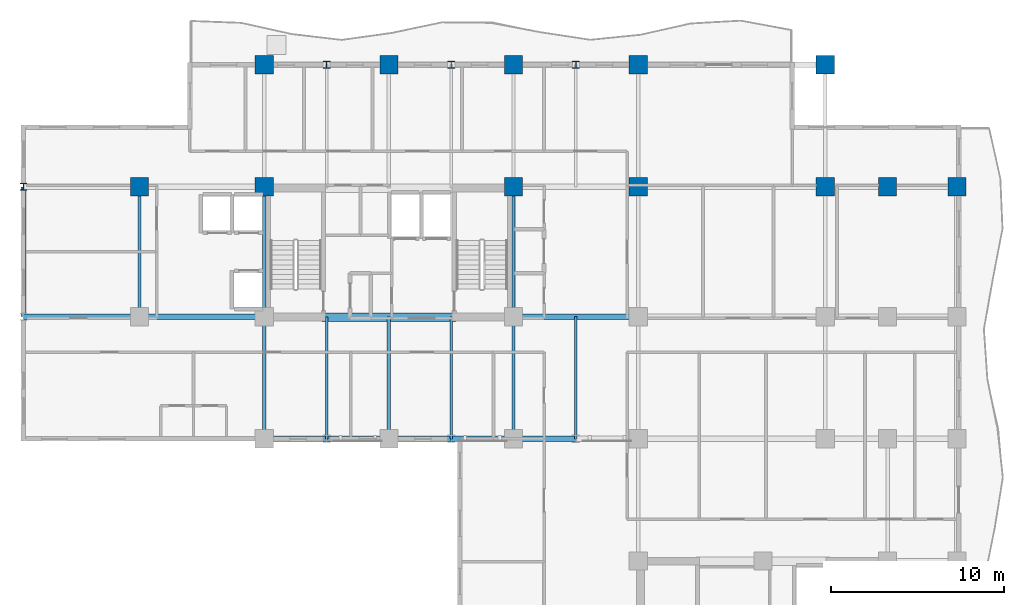
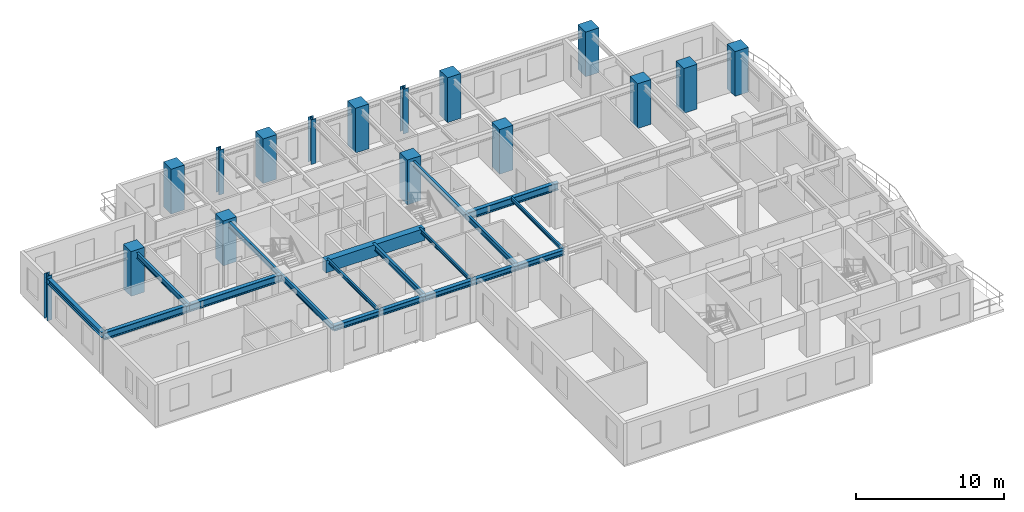
# One storey, part 2 of 13: 19 beams, 16 columns.
"""IFC4 building model written with IfcOpenShell, lengths in metres."""

from ifc_helpers import new_model, si_unit, direction, frame, origin, origin_2d, place, context, subcontext, project, spatial, rectangle, i_section, extrude, source, transform, mapped, material, material_profile, profile_set, type_object, element, save


model = new_model("IFC4")

# Units and contexts
model_context = context("Model", 3, precision=1e-05, world=origin(), true_north=direction((0.0, 1.0)))
body_context = subcontext(model_context, "Body", "Model", "MODEL_VIEW")
ifc_project = project(units=[si_unit("LENGTHUNIT", "METRE"), si_unit("AREAUNIT", "SQUARE_METRE"), si_unit("VOLUMEUNIT", "CUBIC_METRE"), si_unit("PLANEANGLEUNIT", "RADIAN"), si_unit("MASSUNIT", "GRAM", prefix="KILO")], contexts=[model_context])

# Site, building, storey
site_placement = place(None, origin())
site = spatial("IfcSite", under=ifc_project, at=site_placement, CompositionType="ELEMENT")
building_placement = place(site_placement, origin())
building = spatial("IfcBuilding", under=site, at=building_placement, Name="Kaliganga Portal Commons", CompositionType="ELEMENT")
storey_placement = place(building_placement, frame((0.0, 0.0, 173.5)))
storey = spatial("IfcBuildingStorey", under=building, at=storey_placement, Name="L44", CompositionType="ELEMENT", Elevation=173.5)

# Columns
ifc_material_1 = material(Name="Concrete C60/75", Category="concrete")
ifc_material_profile_1 = material_profile(ifc_material_1, rectangle(XDim=1.050048828125, YDim=1.050048828125, at=origin_2d()), Name="RC 1050x1050")
ifc_profile_set_1 = profile_set([ifc_material_profile_1], Name="Concrete C60/75")
column_type_1 = type_object("IfcColumnType", Name="COL-MEGA-Z3", PredefinedType="COLUMN", material=ifc_profile_set_1)
shared_shape_1 = source(origin(), body_context, "Body", "SweptSolid", [
    extrude(rectangle(XDim=1.050048828125, YDim=1.050048828125, at=origin_2d()), origin(), (0.0, 0.0, 1.0), 3.699951171875),
])
for number, where, z_axis, x_axis, name in (
    (1, (7.199951171875, 36.14990234375, 0.0), (0.0, 0.0, 1.0), (1.0, 0.0, 0.0), "Column MC-04 L44"),
    (2, (14.39990234375, 36.14990234375, 0.0), (0.0, 0.0, 1.0), (1.0, 0.0, 0.0), "Column MC-04 L44"),
    (3, (14.39990234375, 43.199951171875, 0.0), (0.0, 0.0, 1.0), (1.0, 0.0, 0.0), "Column MC-04 L44"),
    (4, (21.60009765625, 43.199951171875, 0.0), (0.0, 0.0, 1.0), (1.0, 0.0, 0.0), "Column MC-04 L44"),
    (5, (28.800048828125, 36.14990234375, 0.0), (0.0, 0.0, 1.0), (1.0, 0.0, 0.0), "Column MC-04 L44"),
    (6, (28.800048828125, 43.199951171875, 0.0), (0.0, 0.0, 1.0), (1.0, 0.0, 0.0), "Column MC-04 L44"),
    (7, (36.0, 43.199951171875, 0.0), (0.0, 0.0, 1.0), (1.0, 0.0, 0.0), "Column MC-04 L44"),
    (8, (36.0, 36.14990234375, 0.0), (0.0, 0.0, 1.0), (1.0, 0.0, 0.0), "Column MC-04 L44"),
    (9, (46.800048828125, 36.14990234375, 0.0), (0.0, 0.0, 1.0), (1.0, 0.0, 0.0), "Column MC-04 L44"),
    (10, (46.800048828125, 43.199951171875, 0.0), (0.0, 0.0, 1.0), (1.0, 0.0, 0.0), "Column MC-04 L44"),
    (11, (50.39990234375, 36.14990234375, 0.0), (0.0, 0.0, 1.0), (1.0, 0.0, 0.0), "Column MC-04 L44"),
    (12, (54.39990234375, 36.14990234375, 0.0), (0.0, 0.0, 1.0), (1.0, 0.0, 0.0), "Column MC-04 L44"),
):
    element("IfcColumn", number, at=place(storey_placement, frame(where, z_axis=z_axis, x_axis=x_axis)), inside=storey, type_object=column_type_1, Name=name, PredefinedType="COLUMN", context=body_context, shape_type="MappedRepresentation", body=[
        mapped(shared_shape_1, transform((0.0, 0.0, 0.0), x_axis=(1.0, 0.0, 0.0), y_axis=(0.0, 1.0, 0.0), z_axis=(0.0, 0.0, 1.0), scale=1.0)),
    ])
ifc_material_2 = material(Name="Structural steel S460M", Category="steel")
ifc_material_profile_2 = material_profile(ifc_material_2, i_section(OverallWidth=0.404052734375, OverallDepth=0.4140625, WebThickness=0.0205078125, FlangeThickness=0.028076171875, FilletRadius=0.014892578125, at=origin_2d()), Name="HD 400x347")
ifc_profile_set_2 = profile_set([ifc_material_profile_2], Name="Structural steel S460M wide-flange")
column_type_2 = type_object("IfcColumnType", Name="COL-TUBE-B3", PredefinedType="COLUMN", material=ifc_profile_set_2)
shared_shape_2 = source(origin(), body_context, "Body", "SweptSolid", [
    extrude(i_section(OverallWidth=0.404052734375, OverallDepth=0.4140625, WebThickness=0.0205078125, FlangeThickness=0.028076171875, FilletRadius=0.014892578125, at=origin_2d()), origin(), (0.0, 0.0, 1.0), 3.699951171875),
])
for number, where, z_axis, x_axis, name in (
    (13, (0.5, 36.14990234375, 0.0), (0.0, 0.0, 1.0), (1.0, 0.0, 0.0), "Column TC-03 L44"),
    (14, (18.0, 43.199951171875, 0.0), (0.0, 0.0, 1.0), (1.0, 0.0, 0.0), "Column TC-03 L44"),
    (15, (25.199951171875, 43.199951171875, 0.0), (0.0, 0.0, 1.0), (1.0, 0.0, 0.0), "Column TC-03 L44"),
    (16, (32.39990234375, 43.199951171875, 0.0), (0.0, 0.0, 1.0), (1.0, 0.0, 0.0), "Column TC-03 L44"),
):
    element("IfcColumn", number, at=place(storey_placement, frame(where, z_axis=z_axis, x_axis=x_axis)), inside=storey, type_object=column_type_2, Name=name, PredefinedType="COLUMN", context=body_context, shape_type="MappedRepresentation", body=[
        mapped(shared_shape_2, transform((0.0, 0.0, 0.0), x_axis=(1.0, 0.0, 0.0), y_axis=(0.0, 1.0, 0.0), z_axis=(0.0, 0.0, 1.0), scale=1.0)),
    ])

# Beams
ifc_material_3 = material(Name="Concrete C50/60", Category="concrete")
ifc_material_profile_3 = material_profile(ifc_material_3, rectangle(XDim=0.5, YDim=1.0, at=origin_2d()), Name="RC 500x1000")
ifc_profile_set_3 = profile_set([ifc_material_profile_3], Name="Concrete C50/60")
beam_type_1 = type_object("IfcBeamType", Name="BM-CPL-1000", PredefinedType="LINTEL", material=ifc_profile_set_3)
shared_shape_3 = source(origin(), body_context, "Body", "SweptSolid", [
    extrude(rectangle(XDim=0.5, YDim=1.0, at=origin_2d()), origin(), (0.0, 0.0, 1.0), 7.739990234375),
])
beam_1_placement = place(storey_placement, frame((17.72998046875, 28.625, 2.9599609375), z_axis=(1.0, 0.0, 0.0), x_axis=(0.0, 1.0, 0.0)))
element("IfcBeam", 17, at=beam_1_placement, inside=storey, type_object=beam_type_1, Name="BM CPL COREA L44 S", PredefinedType="LINTEL", context=body_context, shape_type="MappedRepresentation", body=[
    mapped(shared_shape_3, transform((0.0, 0.0, 0.0), x_axis=(1.0, 0.0, 0.0), y_axis=(0.0, 1.0, 0.0), z_axis=(0.0, 0.0, 1.0), scale=1.0)),
])
ifc_material_4 = material(Name="Structural steel S355J2", Category="steel")
ifc_material_profile_4 = material_profile(ifc_material_4, i_section(OverallWidth=0.300048828125, OverallDepth=0.449951171875, WebThickness=0.013916015625, FlangeThickness=0.02587890625, FilletRadius=0.027099609375, at=origin_2d()), Name="HE 450 B")
ifc_profile_set_4 = profile_set([ifc_material_profile_4], Name="Structural steel S355J2 wide-flange")
beam_type_2 = type_object("IfcBeamType", Name="BM-SPAND-450", PredefinedType="SPANDREL", material=ifc_profile_set_4)
shared_shape_4 = source(origin(), body_context, "Body", "SweptSolid", [
    extrude(i_section(OverallWidth=0.300048828125, OverallDepth=0.449951171875, WebThickness=0.013916015625, FlangeThickness=0.02587890625, FilletRadius=0.027099609375, at=origin_2d()), origin(), (0.0, 0.0, 1.0), 3.60009765625),
])
for number, where, z_axis, x_axis, name in (
    (18, (14.39990234375, 21.60009765625, 3.235107421875), (1.0, 0.0, 0.0), (0.0, 1.0, 0.0), "BM SP L44 AS 1"),
    (19, (18.0, 21.60009765625, 3.235107421875), (1.0, 0.0, 0.0), (0.0, 1.0, 0.0), "BM SP L44 AS 2"),
    (20, (25.199951171875, 21.60009765625, 3.235107421875), (1.0, 0.0, 0.0), (0.0, 1.0, 0.0), "BM SP L44 AS 4"),
):
    element("IfcBeam", number, at=place(storey_placement, frame(where, z_axis=z_axis, x_axis=x_axis)), inside=storey, type_object=beam_type_2, Name=name, PredefinedType="SPANDREL", context=body_context, shape_type="MappedRepresentation", body=[
        mapped(shared_shape_4, transform((0.0, 0.0, 0.0), x_axis=(1.0, 0.0, 0.0), y_axis=(0.0, 1.0, 0.0), z_axis=(0.0, 0.0, 1.0), scale=1.0)),
    ])
shared_shape_5 = source(origin(), body_context, "Body", "SweptSolid", [
    extrude(i_section(OverallWidth=0.300048828125, OverallDepth=0.449951171875, WebThickness=0.013916015625, FlangeThickness=0.02587890625, FilletRadius=0.027099609375, at=origin_2d()), origin(), (0.0, 0.0, 1.0), 3.599853515625),
])
for number, where, z_axis, x_axis, name in (
    (21, (21.60009765625, 21.60009765625, 3.235107421875), (1.0, 0.0, 0.0), (0.0, 1.0, 0.0), "BM SP L44 AS 3"),
    (22, (28.800048828125, 21.60009765625, 3.235107421875), (1.0, 0.0, 0.0), (0.0, 1.0, 0.0), "BM SP L44 AS 5"),
):
    element("IfcBeam", number, at=place(storey_placement, frame(where, z_axis=z_axis, x_axis=x_axis)), inside=storey, type_object=beam_type_2, Name=name, PredefinedType="SPANDREL", context=body_context, shape_type="MappedRepresentation", body=[
        mapped(shared_shape_5, transform((0.0, 0.0, 0.0), x_axis=(1.0, 0.0, 0.0), y_axis=(0.0, 1.0, 0.0), z_axis=(0.0, 0.0, 1.0), scale=1.0)),
    ])
shared_shape_6 = source(origin(), body_context, "Body", "SweptSolid", [
    extrude(i_section(OverallWidth=0.300048828125, OverallDepth=0.449951171875, WebThickness=0.013916015625, FlangeThickness=0.02587890625, FilletRadius=0.027099609375, at=origin_2d()), origin(), (0.0, 0.0, 1.0), 7.5),
])
beam_2_placement = place(storey_placement, frame((0.5, 28.64990234375, 3.235107421875), z_axis=(0.0, 1.0, 0.0), x_axis=(-1.0, 0.0, 0.0)))
element("IfcBeam", 23, at=beam_2_placement, inside=storey, type_object=beam_type_2, Name="BM SP L44 AW", PredefinedType="SPANDREL", context=body_context, shape_type="MappedRepresentation", body=[
    mapped(shared_shape_6, transform((0.0, 0.0, 0.0), x_axis=(1.0, 0.0, 0.0), y_axis=(0.0, 1.0, 0.0), z_axis=(0.0, 0.0, 1.0), scale=1.0)),
])
ifc_material_profile_5 = material_profile(ifc_material_4, i_section(OverallWidth=0.300048828125, OverallDepth=0.60009765625, WebThickness=0.015380859375, FlangeThickness=0.030029296875, FilletRadius=0.027099609375, at=origin_2d()), Name="HE 600 B")
ifc_profile_set_5 = profile_set([ifc_material_profile_5], Name="Structural steel S355J2 wide-flange")
beam_type_3 = type_object("IfcBeamType", Name="BM-GIRD-600", PredefinedType="USERDEFINED", material=ifc_profile_set_5)
shared_shape_7 = source(origin(), body_context, "Body", "SweptSolid", [
    extrude(i_section(OverallWidth=0.300048828125, OverallDepth=0.60009765625, WebThickness=0.015380859375, FlangeThickness=0.030029296875, FilletRadius=0.027099609375, at=origin_2d()), origin(), (0.0, 0.0, 1.0), 6.699951171875),
])
beam_3_placement = place(storey_placement, frame((0.5, 28.64990234375, 3.159912109375), z_axis=(1.0, 0.0, 0.0), x_axis=(0.0, 1.0, 0.0)))
element("IfcBeam", 24, at=beam_3_placement, inside=storey, type_object=beam_type_3, Name="BM G L44 WAH_S 1", ObjectType="GIRDER", PredefinedType="USERDEFINED", context=body_context, shape_type="MappedRepresentation", body=[
    mapped(shared_shape_7, transform((0.0, 0.0, 0.0), x_axis=(1.0, 0.0, 0.0), y_axis=(0.0, 1.0, 0.0), z_axis=(0.0, 0.0, 1.0), scale=1.0)),
])
shared_shape_8 = source(origin(), body_context, "Body", "SweptSolid", [
    extrude(i_section(OverallWidth=0.300048828125, OverallDepth=0.60009765625, WebThickness=0.015380859375, FlangeThickness=0.030029296875, FilletRadius=0.027099609375, at=origin_2d()), origin(), (0.0, 0.0, 1.0), 7.199951171875),
])
for number, where, z_axis, x_axis, name in (
    (25, (7.199951171875, 28.64990234375, 3.159912109375), (1.0, 0.0, 0.0), (0.0, 1.0, 0.0), "BM G L44 WAH_S 2"),
    (26, (28.800048828125, 28.64990234375, 3.159912109375), (1.0, 0.0, 0.0), (0.0, 1.0, 0.0), "BM G L44 WAE_S 1"),
):
    element("IfcBeam", number, at=place(storey_placement, frame(where, z_axis=z_axis, x_axis=x_axis)), inside=storey, type_object=beam_type_3, Name=name, ObjectType="GIRDER", PredefinedType="USERDEFINED", context=body_context, shape_type="MappedRepresentation", body=[
        mapped(shared_shape_8, transform((0.0, 0.0, 0.0), x_axis=(1.0, 0.0, 0.0), y_axis=(0.0, 1.0, 0.0), z_axis=(0.0, 0.0, 1.0), scale=1.0)),
    ])
ifc_material_profile_6 = material_profile(ifc_material_4, i_section(OverallWidth=0.18994140625, OverallDepth=0.449951171875, WebThickness=0.009521484375, FlangeThickness=0.0146484375, FilletRadius=0.02099609375, at=origin_2d()), Name="IPE 450")
ifc_profile_set_6 = profile_set([ifc_material_profile_6], Name="Structural steel S355J2 wide-flange")
beam_type_4 = type_object("IfcBeamType", Name="BM-FLR-450", PredefinedType="BEAM", material=ifc_profile_set_6)
shared_shape_9 = source(origin(), body_context, "Body", "SweptSolid", [
    extrude(i_section(OverallWidth=0.18994140625, OverallDepth=0.449951171875, WebThickness=0.009521484375, FlangeThickness=0.0146484375, FilletRadius=0.02099609375, at=origin_2d()), origin(), (0.0, 0.0, 1.0), 7.5),
])
for number, where, z_axis, x_axis, name in (
    (27, (7.199951171875, 28.64990234375, 3.235107421875), (0.0, 1.0, 0.0), (-1.0, 0.0, 0.0), "BM G L44 AW72"),
    (28, (14.39990234375, 28.64990234375, 3.235107421875), (0.0, 1.0, 0.0), (-1.0, 0.0, 0.0), "BM G L44 AM144"),
    (29, (28.800048828125, 28.64990234375, 3.235107421875), (0.0, 1.0, 0.0), (-1.0, 0.0, 0.0), "BM G L44 AM288"),
):
    element("IfcBeam", number, at=place(storey_placement, frame(where, z_axis=z_axis, x_axis=x_axis)), inside=storey, type_object=beam_type_4, Name=name, PredefinedType="BEAM", context=body_context, shape_type="MappedRepresentation", body=[
        mapped(shared_shape_9, transform((0.0, 0.0, 0.0), x_axis=(1.0, 0.0, 0.0), y_axis=(0.0, 1.0, 0.0), z_axis=(0.0, 0.0, 1.0), scale=1.0)),
    ])
shared_shape_10 = source(origin(), body_context, "Body", "SweptSolid", [
    extrude(i_section(OverallWidth=0.18994140625, OverallDepth=0.449951171875, WebThickness=0.009521484375, FlangeThickness=0.0146484375, FilletRadius=0.02099609375, at=origin_2d()), origin(), (0.0, 0.0, 1.0), 7.0498046875),
])
for number, where, z_axis, x_axis, name in (
    (30, (14.39990234375, 21.60009765625, 3.235107421875), (0.0, 1.0, 0.0), (-1.0, 0.0, 0.0), "BM G L44 AS144"),
    (31, (28.800048828125, 21.60009765625, 3.235107421875), (0.0, 1.0, 0.0), (-1.0, 0.0, 0.0), "BM G L44 AS288"),
):
    element("IfcBeam", number, at=place(storey_placement, frame(where, z_axis=z_axis, x_axis=x_axis)), inside=storey, type_object=beam_type_4, Name=name, PredefinedType="BEAM", context=body_context, shape_type="MappedRepresentation", body=[
        mapped(shared_shape_10, transform((0.0, 0.0, 0.0), x_axis=(1.0, 0.0, 0.0), y_axis=(0.0, 1.0, 0.0), z_axis=(0.0, 0.0, 1.0), scale=1.0)),
    ])
ifc_material_profile_7 = material_profile(ifc_material_4, i_section(OverallWidth=0.14990234375, OverallDepth=0.300048828125, WebThickness=0.007080078125, FlangeThickness=0.0107421875, FilletRadius=0.014892578125, at=origin_2d()), Name="IPE 300")
ifc_profile_set_7 = profile_set([ifc_material_profile_7], Name="Structural steel S355J2 wide-flange")
beam_type_5 = type_object("IfcBeamType", Name="BM-JST-300", PredefinedType="JOIST", material=ifc_profile_set_7)
shared_shape_11 = source(origin(), body_context, "Body", "SweptSolid", [
    extrude(i_section(OverallWidth=0.14990234375, OverallDepth=0.300048828125, WebThickness=0.007080078125, FlangeThickness=0.0107421875, FilletRadius=0.014892578125, at=origin_2d()), origin(), (0.0, 0.0, 1.0), 7.02490234375),
])
for number, where, z_axis, x_axis, name in (
    (32, (18.0, 21.60009765625, 3.31005859375), (0.0, 1.0, 0.0), (-1.0, 0.0, 0.0), "BM G L44 AS180"),
    (33, (25.199951171875, 21.60009765625, 3.31005859375), (0.0, 1.0, 0.0), (-1.0, 0.0, 0.0), "BM G L44 AS252"),
):
    element("IfcBeam", number, at=place(storey_placement, frame(where, z_axis=z_axis, x_axis=x_axis)), inside=storey, type_object=beam_type_5, Name=name, PredefinedType="JOIST", context=body_context, shape_type="MappedRepresentation", body=[
        mapped(shared_shape_11, transform((0.0, 0.0, 0.0), x_axis=(1.0, 0.0, 0.0), y_axis=(0.0, 1.0, 0.0), z_axis=(0.0, 0.0, 1.0), scale=1.0)),
    ])
shared_shape_12 = source(origin(), body_context, "Body", "SweptSolid", [
    extrude(i_section(OverallWidth=0.18994140625, OverallDepth=0.449951171875, WebThickness=0.009521484375, FlangeThickness=0.0146484375, FilletRadius=0.02099609375, at=origin_2d()), origin(), (0.0, 0.0, 1.0), 7.02490234375),
])
beam_4_placement = place(storey_placement, frame((21.60009765625, 21.60009765625, 3.235107421875), z_axis=(0.0, 1.0, 0.0), x_axis=(-1.0, 0.0, 0.0)))
element("IfcBeam", 34, at=beam_4_placement, inside=storey, type_object=beam_type_4, Name="BM G L44 AS216", PredefinedType="BEAM", context=body_context, shape_type="MappedRepresentation", body=[
    mapped(shared_shape_12, transform((0.0, 0.0, 0.0), x_axis=(1.0, 0.0, 0.0), y_axis=(0.0, 1.0, 0.0), z_axis=(0.0, 0.0, 1.0), scale=1.0)),
])
shared_shape_13 = source(origin(), body_context, "Body", "SweptSolid", [
    extrude(i_section(OverallWidth=0.14990234375, OverallDepth=0.300048828125, WebThickness=0.007080078125, FlangeThickness=0.0107421875, FilletRadius=0.014892578125, at=origin_2d()), origin(), (0.0, 0.0, 1.0), 7.0498046875),
])
beam_5_placement = place(storey_placement, frame((32.39990234375, 21.60009765625, 3.31005859375), z_axis=(0.0, 1.0, 0.0), x_axis=(-1.0, 0.0, 0.0)))
element("IfcBeam", 35, at=beam_5_placement, inside=storey, type_object=beam_type_5, Name="BM G L44 AS324", PredefinedType="JOIST", context=body_context, shape_type="MappedRepresentation", body=[
    mapped(shared_shape_13, transform((0.0, 0.0, 0.0), x_axis=(1.0, 0.0, 0.0), y_axis=(0.0, 1.0, 0.0), z_axis=(0.0, 0.0, 1.0), scale=1.0)),
])

save(model, "model.ifc")
